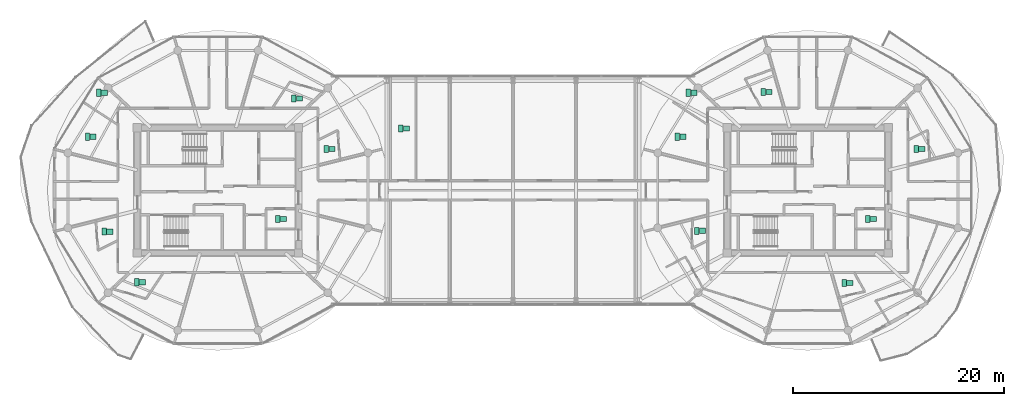
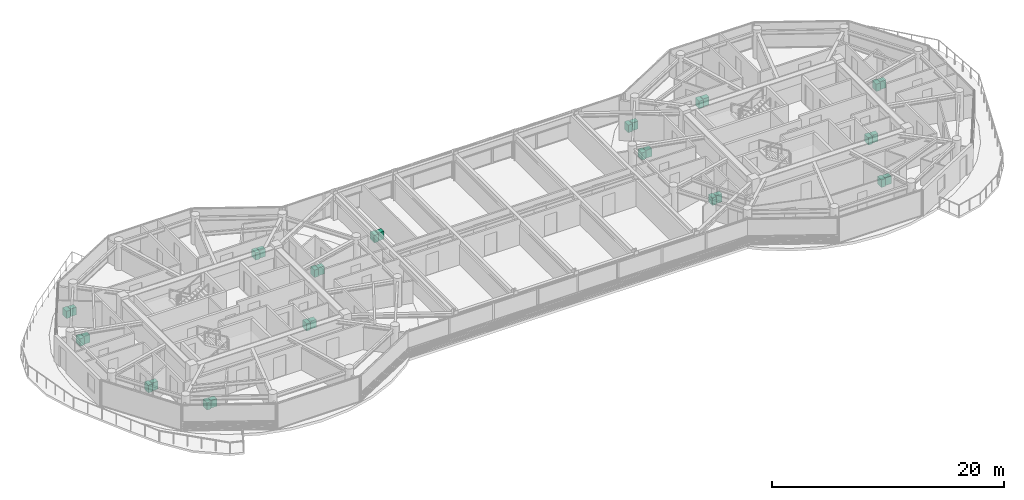
# One storey, part 26 of 26: 30 sanitary terminals.
"""IFC4 building model written with IfcOpenShell, lengths in metres."""

from ifc_helpers import new_model, si_unit, direction, frame, origin, origin_2d, place, context, subcontext, project, spatial, rectangle, extrude, source, transform, mapped, material, type_object, type_shapes, element, save


model = new_model("IFC4")

# Units and contexts
model_context = context("Model", 3, precision=1e-05, world=origin(), true_north=direction((0.0, 1.0)))
body_context = subcontext(model_context, "Body", "Model", "MODEL_VIEW")
ifc_project = project(units=[si_unit("LENGTHUNIT", "METRE"), si_unit("AREAUNIT", "SQUARE_METRE"), si_unit("VOLUMEUNIT", "CUBIC_METRE"), si_unit("PLANEANGLEUNIT", "RADIAN"), si_unit("MASSUNIT", "GRAM", prefix="KILO")], contexts=[model_context])

# Site, building, storey
site_placement = place(None, origin())
site = spatial("IfcSite", under=ifc_project, at=site_placement, CompositionType="ELEMENT")
building_placement = place(site_placement, origin())
building = spatial("IfcBuilding", under=site, at=building_placement, Name="Norrkilde Senior Care Towers", CompositionType="ELEMENT")
storey_placement = place(building_placement, frame((0.0, 0.0, 210.85009765625)))
storey = spatial("IfcBuildingStorey", under=building, at=storey_placement, Name="L65", CompositionType="ELEMENT", Elevation=210.85009765625)

# Sanitary terminals
ifc_material = material(Name="Porcelain Ceramic")
sanitary_terminal_type_1 = type_object("IfcSanitaryTerminalType", Name="Accessible Senior WC Suite", PredefinedType="TOILETPAN", material=ifc_material)
shared_shape_1 = source(origin(), body_context, "Body", "SweptSolid", [
    extrude(rectangle(XDim=0.419921875, YDim=0.679931640625, at=origin_2d()), origin(), (0.0, 0.0, 1.0), 0.780029296875),
])
type_shapes(sanitary_terminal_type_1, [shared_shape_1])
for number, where, z_axis, x_axis, name in (
    (1, (-22.324951171875, -2.715087890625, 0.0), (0.0, 0.0, 1.0), (1.0, 0.0, 0.0), "L65 Accessible WC Pan 0170"),
    (2, (-17.70556640625, 3.923828125, 0.0), (0.0, 0.0, 1.0), (1.0, 0.0, 0.0), "L65 Accessible WC Pan 0171"),
    (3, (-20.788818359375, 8.721435546875, 0.0), (0.0, 0.0, 1.0), (1.0, 0.0, 0.0), "L65 Accessible WC Pan 0172"),
    (4, (-39.333984375, 9.268798828125, 0.0), (0.0, 0.0, 1.0), (1.0, 0.0, 0.0), "L65 Accessible WC Pan 0173"),
    (5, (-40.38671875, 5.09326171875, 0.0), (0.0, 0.0, 1.0), (1.0, 0.0, 0.0), "L65 Accessible WC Pan 0174"),
    (6, (-38.79443359375, -3.923828125, 0.0), (0.0, 0.0, 1.0), (1.0, 0.0, 0.0), "L65 Accessible WC Pan 0175"),
    (7, (-35.711181640625, -8.721435546875, 0.0), (0.0, 0.0, 1.0), (1.0, 0.0, 0.0), "L65 Accessible WC Pan 0176"),
    (8, (33.675048828125, -2.715087890625, 0.0), (0.0, 0.0, 1.0), (1.0, 0.0, 0.0), "L65 Accessible WC Pan 0177"),
    (9, (38.29443359375, 3.923828125, 0.0), (0.0, 0.0, 1.0), (1.0, 0.0, 0.0), "L65 Accessible WC Pan 0178"),
    (10, (23.77978515625, 9.33984375, 0.0), (0.0, 0.0, 1.0), (1.0, 0.0, 0.0), "L65 Accessible WC Pan 0179"),
    (11, (16.666015625, 9.268798828125, 0.0), (0.0, 0.0, 1.0), (1.0, 0.0, 0.0), "L65 Accessible WC Pan 0180"),
    (12, (15.61328125, 5.09326171875, 0.0), (0.0, 0.0, 1.0), (1.0, 0.0, 0.0), "L65 Accessible WC Pan 0181"),
    (13, (17.47265625, -3.848388671875, 0.0), (0.0, 0.0, 1.0), (1.0, 0.0, 0.0), "L65 Accessible WC Pan 0182"),
    (14, (31.4619140625, -8.79931640625, 0.0), (0.0, 0.0, 1.0), (1.0, 0.0, 0.0), "L65 Accessible WC Pan 0183"),
    (15, (-10.6298828125, 5.8701171875, 0.0), (0.0, 0.0, 1.0), (1.0, 0.0, 0.0), "L65 Accessible WC Pan 0184"),
):
    element("IfcSanitaryTerminal", number, at=place(storey_placement, frame(where, z_axis=z_axis, x_axis=x_axis)), inside=storey, type_object=sanitary_terminal_type_1, Name=name, PredefinedType="TOILETPAN", context=body_context, shape_type="MappedRepresentation", body=[
        mapped(shared_shape_1, transform((0.0, 0.0, 0.0), x_axis=(1.0, 0.0, 0.0), y_axis=(0.0, 1.0, 0.0), z_axis=(0.0, 0.0, 1.0), scale=1.0)),
    ])
sanitary_terminal_type_2 = type_object("IfcSanitaryTerminalType", Name="Thermostatic Care Washbasin", PredefinedType="WASHHANDBASIN", material=ifc_material)
shared_shape_2 = source(origin(), body_context, "Body", "SweptSolid", [
    extrude(rectangle(XDim=0.60009765625, YDim=0.5, at=origin_2d()), origin(), (0.0, 0.0, 1.0), 0.820068359375),
])
type_shapes(sanitary_terminal_type_2, [shared_shape_2])
for number, where, z_axis, x_axis, name in (
    (16, (-21.794921875, -2.715087890625, 0.0), (0.0, 0.0, 1.0), (1.0, 0.0, 0.0), "L65 Accessible Washbasin 0170"),
    (17, (-17.175537109375, 3.923828125, 0.0), (0.0, 0.0, 1.0), (1.0, 0.0, 0.0), "L65 Accessible Washbasin 0171"),
    (18, (-20.2587890625, 8.721435546875, 0.0), (0.0, 0.0, 1.0), (1.0, 0.0, 0.0), "L65 Accessible Washbasin 0172"),
    (19, (-38.803955078125, 9.268798828125, 0.0), (0.0, 0.0, 1.0), (1.0, 0.0, 0.0), "L65 Accessible Washbasin 0173"),
    (20, (-39.856689453125, 5.09326171875, 0.0), (0.0, 0.0, 1.0), (1.0, 0.0, 0.0), "L65 Accessible Washbasin 0174"),
    (21, (-38.264404296875, -3.923828125, 0.0), (0.0, 0.0, 1.0), (1.0, 0.0, 0.0), "L65 Accessible Washbasin 0175"),
    (22, (-35.181396484375, -8.721435546875, 0.0), (0.0, 0.0, 1.0), (1.0, 0.0, 0.0), "L65 Accessible Washbasin 0176"),
    (23, (34.205078125, -2.715087890625, 0.0), (0.0, 0.0, 1.0), (1.0, 0.0, 0.0), "L65 Accessible Washbasin 0177"),
    (24, (38.824462890625, 3.923828125, 0.0), (0.0, 0.0, 1.0), (1.0, 0.0, 0.0), "L65 Accessible Washbasin 0178"),
    (25, (24.309814453125, 9.33984375, 0.0), (0.0, 0.0, 1.0), (1.0, 0.0, 0.0), "L65 Accessible Washbasin 0179"),
    (26, (17.196044921875, 9.268798828125, 0.0), (0.0, 0.0, 1.0), (1.0, 0.0, 0.0), "L65 Accessible Washbasin 0180"),
    (27, (16.143310546875, 5.09326171875, 0.0), (0.0, 0.0, 1.0), (1.0, 0.0, 0.0), "L65 Accessible Washbasin 0181"),
    (28, (18.002685546875, -3.848388671875, 0.0), (0.0, 0.0, 1.0), (1.0, 0.0, 0.0), "L65 Accessible Washbasin 0182"),
    (29, (31.991943359375, -8.79931640625, 0.0), (0.0, 0.0, 1.0), (1.0, 0.0, 0.0), "L65 Accessible Washbasin 0183"),
    (30, (-10.10009765625, 5.8701171875, 0.0), (0.0, 0.0, 1.0), (1.0, 0.0, 0.0), "L65 Accessible Washbasin 0184"),
):
    element("IfcSanitaryTerminal", number, at=place(storey_placement, frame(where, z_axis=z_axis, x_axis=x_axis)), inside=storey, type_object=sanitary_terminal_type_2, Name=name, PredefinedType="WASHHANDBASIN", context=body_context, shape_type="MappedRepresentation", body=[
        mapped(shared_shape_2, transform((0.0, 0.0, 0.0), x_axis=(1.0, 0.0, 0.0), y_axis=(0.0, 1.0, 0.0), z_axis=(0.0, 0.0, 1.0), scale=1.0)),
    ])

save(model, "model.ifc")
